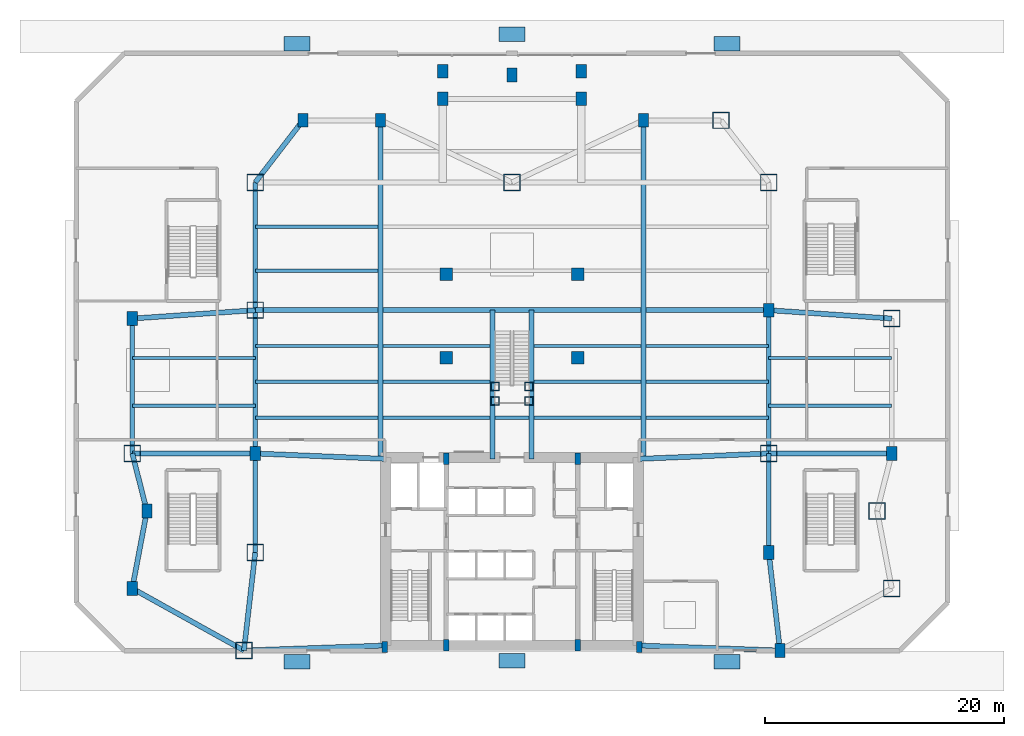
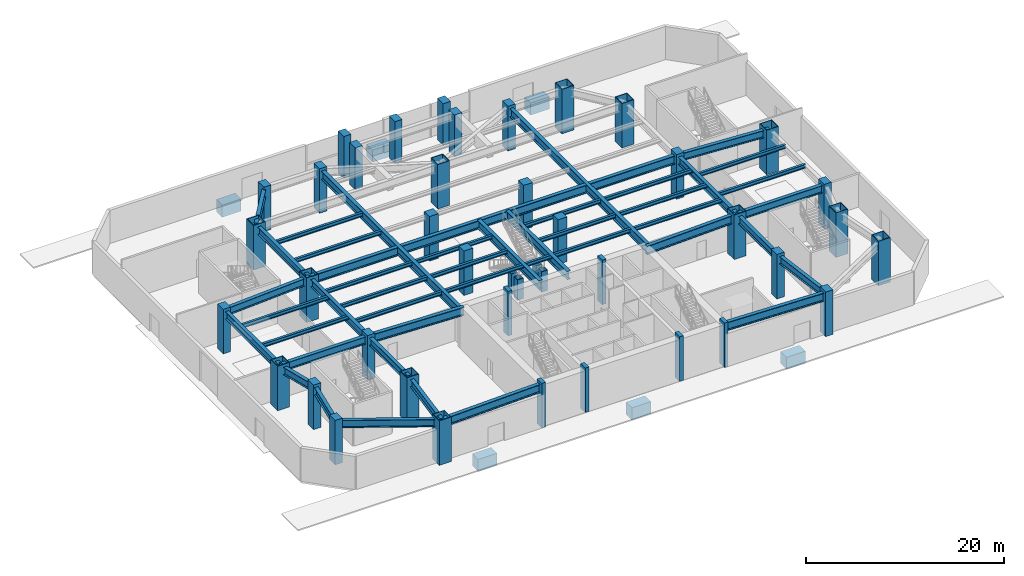
# One storey, part 1 of 11: 44 beams, 42 columns, 6 footings.
"""IFC4 building model written with IfcOpenShell, lengths in metres."""

from ifc_helpers import new_model, si_unit, direction, frame, origin, origin_2d, place, context, subcontext, project, spatial, rectangle, hollow_rectangle, i_section, extrude, source, transform, mapped, material, layer, layer_set, material_profile, profile_set, type_object, type_shapes, element, save


model = new_model("IFC4")

# Units and contexts
model_context = context("Model", 3, precision=1e-05, world=origin(), true_north=direction((0.0, 1.0)))
body_context = subcontext(model_context, "Body", "Model", "MODEL_VIEW")
ifc_project = project(units=[si_unit("LENGTHUNIT", "METRE"), si_unit("AREAUNIT", "SQUARE_METRE"), si_unit("VOLUMEUNIT", "CUBIC_METRE"), si_unit("PLANEANGLEUNIT", "RADIAN"), si_unit("MASSUNIT", "GRAM", prefix="KILO")], contexts=[model_context])

# Site, building, storey
site_placement = place(None, origin())
site = spatial("IfcSite", under=ifc_project, at=site_placement, CompositionType="ELEMENT")
building_placement = place(site_placement, origin())
building = spatial("IfcBuilding", under=site, at=building_placement, Name="Varnakhor Terracotta Tower", CompositionType="ELEMENT")
storey_placement = place(building_placement, origin())
storey = spatial("IfcBuildingStorey", under=building, at=storey_placement, Name="L00", CompositionType="ELEMENT", Elevation=0.0)

# Footings
ifc_material_1 = material(Name="Concrete C40/50", Category="concrete")
ifc_layer = layer(ifc_material_1, 1.5, Name="Concrete C40/50")
ifc_layer_set = layer_set([ifc_layer], Name="Concrete C40/50")
footing_type = type_object("IfcFootingType", Name="FTG-PAD-2800X2800", PredefinedType="PAD_FOOTING", material=ifc_layer_set)
shared_shape_1 = source(origin(), body_context, "Body", "SweptSolid", [
    extrude(rectangle(XDim=2.199951171875, YDim=1.199951171875, at=origin_2d()), origin(), (0.0, 0.0, 1.0), 1.5),
])
for number, where, z_axis, x_axis, name in (
    (1, (-18.0, 50.800048828125, -1.659912109375), (0.0, 0.0, 1.0), (1.0, 0.0, 0.0), "Plaza Apron Grade Pad Footing 1"),
    (2, (0.0, 51.60009765625, -1.659912109375), (0.0, 0.0, 1.0), (1.0, 0.0, 0.0), "Plaza Apron Grade Pad Footing 2"),
    (3, (18.0, 50.800048828125, -1.659912109375), (0.0, 0.0, 1.0), (1.0, 0.0, 0.0), "Plaza Apron Grade Pad Footing 3"),
    (4, (-18.0, -0.949951171875, -1.659912109375), (0.0, 0.0, 1.0), (1.0, 0.0, 0.0), "Plaza Apron Grade Pad Footing 4"),
    (5, (0.0, -0.85009765625, -1.659912109375), (0.0, 0.0, 1.0), (1.0, 0.0, 0.0), "Plaza Apron Grade Pad Footing 5"),
    (6, (18.0, -0.949951171875, -1.659912109375), (0.0, 0.0, 1.0), (1.0, 0.0, 0.0), "Plaza Apron Grade Pad Footing 6"),
):
    element("IfcFooting", number, at=place(storey_placement, frame(where, z_axis=z_axis, x_axis=x_axis)), inside=storey, type_object=footing_type, Name=name, PredefinedType="PAD_FOOTING", context=body_context, shape_type="MappedRepresentation", body=[
        mapped(shared_shape_1, transform((0.0, 0.0, 0.0), scale=1.0)),
    ])

# Columns
ifc_material_2 = material(Name="Concrete C50/60", Category="concrete")
ifc_material_profile_1 = material_profile(ifc_material_2, rectangle(XDim=0.449951171875, YDim=0.949951171875, at=origin_2d()), Name="RC PILASTER 950x450")
ifc_profile_set_1 = profile_set([ifc_material_profile_1], Name="Concrete C50/60")
column_type_1 = type_object("IfcColumnType", Name="COL-PIL-950x450", PredefinedType="PILASTER", material=ifc_profile_set_1)
shared_shape_2 = source(origin(), body_context, "Body", "SweptSolid", [
    extrude(rectangle(XDim=0.449951171875, YDim=0.949951171875, at=origin_2d()), origin(), (0.0, 0.0, 1.0), 5.5),
])
for number, where, z_axis, x_axis, name in (
    (7, (-10.64990234375, 0.300048828125, 0.0), (0.0, 0.0, 1.0), (1.0, 0.0, 0.0), "L00 Core Pilaster CP1"),
    (8, (-5.5, 0.449951171875, 0.0), (0.0, 0.0, 1.0), (1.0, 0.0, 0.0), "L00 Core Pilaster CP2"),
    (9, (5.5, 0.449951171875, 0.0), (0.0, 0.0, 1.0), (1.0, 0.0, 0.0), "L00 Core Pilaster CP3"),
    (10, (10.64990234375, 0.300048828125, 0.0), (0.0, 0.0, 1.0), (1.0, 0.0, 0.0), "L00 Core Pilaster CP4"),
    (11, (-5.5, 16.050048828125, 0.0), (0.0, 0.0, 1.0), (1.0, 0.0, 0.0), "L00 Core Pilaster CP5"),
    (12, (5.5, 16.050048828125, 0.0), (0.0, 0.0, 1.0), (1.0, 0.0, 0.0), "L00 Core Pilaster CP6"),
):
    element("IfcColumn", number, at=place(storey_placement, frame(where, z_axis=z_axis, x_axis=x_axis)), inside=storey, type_object=column_type_1, Name=name, PredefinedType="PILASTER", context=body_context, shape_type="MappedRepresentation", body=[
        mapped(shared_shape_2, transform((0.0, 0.0, 0.0), scale=1.0)),
    ])
ifc_material_3 = material(Name="Concrete C60/75", Category="concrete")
ifc_material_profile_2 = material_profile(ifc_material_3, rectangle(XDim=1.050048828125, YDim=1.050048828125, at=origin_2d()), Name="RC 1050x1050")
ifc_profile_set_2 = profile_set([ifc_material_profile_2], Name="Concrete C60/75")
column_type_2 = type_object("IfcColumnType", Name="COL-RC-1050", PredefinedType="COLUMN", material=ifc_profile_set_2)
shared_shape_3 = source(origin(), body_context, "Body", "SweptSolid", [
    extrude(rectangle(XDim=1.050048828125, YDim=1.050048828125, at=origin_2d()), origin(), (0.0, 0.0, 1.0), 5.5),
])
type_shapes(column_type_2, [shared_shape_3])
for number, where, z_axis, x_axis, name in (
    (13, (-5.5, 24.5, 0.0), (0.0, 0.0, 1.0), (1.0, 0.0, 0.0), "L00 Interior Plumb Tower Column I1"),
    (14, (5.5, 24.5, 0.0), (0.0, 0.0, 1.0), (1.0, 0.0, 0.0), "L00 Interior Plumb Tower Column I2"),
    (15, (-5.5, 31.5, 0.0), (0.0, 0.0, 1.0), (1.0, 0.0, 0.0), "L00 Interior Plumb Tower Column I3"),
    (16, (5.5, 31.5, 0.0), (0.0, 0.0, 1.0), (1.0, 0.0, 0.0), "L00 Interior Plumb Tower Column I4"),
):
    element("IfcColumn", number, at=place(storey_placement, frame(where, z_axis=z_axis, x_axis=x_axis)), inside=storey, type_object=column_type_2, Name=name, PredefinedType="COLUMN", context=body_context, shape_type="MappedRepresentation", body=[
        mapped(shared_shape_3, transform((0.0, 0.0, 0.0), scale=1.0)),
    ])
ifc_material_profile_3 = material_profile(ifc_material_3, rectangle(XDim=0.85009765625, YDim=1.14990234375, at=origin_2d()), Name="RC 1150x850")
ifc_profile_set_3 = profile_set([ifc_material_profile_3], Name="Concrete C60/75")
column_type_3 = type_object("IfcColumnType", Name="COL-RC-1150x850", PredefinedType="COLUMN", material=ifc_profile_set_3)
shared_shape_4 = source(origin(), body_context, "Body", "SweptSolid", [
    extrude(rectangle(XDim=0.85009765625, YDim=1.14990234375, at=origin_2d()), origin(), (0.0, 0.0, 1.0), 5.159912109375),
])
for number, where, z_axis, x_axis, name in (
    (17, (-5.800048828125, 46.199951171875, 0.0), (0.0, 0.0, 1.0), (1.0, 0.0, 0.0), "L00 North Terrace Support Column 1"),
    (18, (5.800048828125, 46.199951171875, 0.0), (0.0, 0.0, 1.0), (1.0, 0.0, 0.0), "L00 North Terrace Support Column 2"),
    (19, (0.0, 48.199951171875, 0.0), (0.0, 0.0, 1.0), (1.0, 0.0, 0.0), "L00 North Terrace Support Column 3"),
    (20, (-5.800048828125, 48.5, 0.0), (0.0, 0.0, 1.0), (1.0, 0.0, 0.0), "L00 North Terrace Support Column 4"),
    (21, (5.800048828125, 48.5, 0.0), (0.0, 0.0, 1.0), (1.0, 0.0, 0.0), "L00 North Terrace Support Column 5"),
):
    element("IfcColumn", number, at=place(storey_placement, frame(where, z_axis=z_axis, x_axis=x_axis)), inside=storey, type_object=column_type_3, Name=name, PredefinedType="COLUMN", context=body_context, shape_type="MappedRepresentation", body=[
        mapped(shared_shape_4, transform((0.0, 0.0, 0.0), scale=1.0)),
    ])
ifc_material_4 = material(Name="Steel S460", Category="steel")
ifc_material_profile_4 = material_profile(ifc_material_4, hollow_rectangle(XDim=1.39990234375, YDim=1.39990234375, WallThickness=0.070068359375, at=origin_2d()), Name="BOX 1400x1400x70")
ifc_profile_set_4 = profile_set([ifc_material_profile_4], Name="Steel S460")
column_type_4 = type_object("IfcColumnType", Name="COL-MEGA-1400", PredefinedType="COLUMN", material=ifc_profile_set_4)
shared_shape_5 = source(origin(), body_context, "Body", "SweptSolid", [
    extrude(hollow_rectangle(XDim=1.39990234375, YDim=1.39990234375, WallThickness=0.070068359375, at=origin_2d()), origin(), (0.0, 0.0, 1.0), 5.5),
])
for number, where, z_axis, x_axis, name in (
    (22, (-22.446044921875, 0.0, 0.0), (0.0, 0.0, 1.0), (1.0, 0.0, 0.0), "L00 Podium Column PC01"),
    (23, (-21.5, 8.199951171875, 0.0), (0.0, 0.0, 1.0), (1.0, 0.0, 0.0), "L00 Podium Column PC03"),
    (24, (-31.800048828125, 16.5, 0.0), (0.0, 0.0, 1.0), (1.0, 0.0, 0.0), "L00 Podium Column PC05"),
    (25, (-21.5, 28.5, 0.0), (0.0, 0.0, 1.0), (1.0, 0.0, 0.0), "L00 Podium Column PC07"),
    (26, (-21.5, 39.199951171875, 0.0), (0.0, 0.0, 1.0), (1.0, 0.0, 0.0), "L00 Podium Column PC09"),
    (27, (0.0, 39.199951171875, 0.0), (0.0, 0.0, 1.0), (1.0, 0.0, 0.0), "L00 Podium Column PC11"),
    (28, (21.5, 39.199951171875, 0.0), (0.0, 0.0, 1.0), (1.0, 0.0, 0.0), "L00 Podium Column PC13"),
    (29, (21.5, 16.5, 0.0), (0.0, 0.0, 1.0), (1.0, 0.0, 0.0), "L00 Podium Column PC15"),
    (30, (31.800048828125, 5.199951171875, 0.0), (0.0, 0.0, 1.0), (1.0, 0.0, 0.0), "L00 Podium Column PC17"),
    (31, (31.800048828125, 27.800048828125, 0.0), (0.0, 0.0, 1.0), (1.0, 0.0, 0.0), "L00 Podium Column PC19"),
    (32, (17.5, 44.39990234375, 0.0), (0.0, 0.0, 1.0), (1.0, 0.0, 0.0), "L00 Podium Column PC21"),
    (33, (30.572998046875, 11.68701171875, 0.0), (0.0, 0.0, 1.0), (1.0, 0.0, 0.0), "L00 Podium Column PC23"),
):
    element("IfcColumn", number, at=place(storey_placement, frame(where, z_axis=z_axis, x_axis=x_axis)), inside=storey, type_object=column_type_4, Name=name, PredefinedType="COLUMN", context=body_context, shape_type="MappedRepresentation", body=[
        mapped(shared_shape_5, transform((0.0, 0.0, 0.0), scale=1.0)),
    ])
shared_shape_6 = source(origin(), body_context, "Body", "SweptSolid", [
    extrude(rectangle(XDim=0.85009765625, YDim=1.14990234375, at=origin_2d()), origin(), (0.0, 0.0, 1.0), 5.5),
])
for number, where, z_axis, x_axis, name in (
    (34, (22.446044921875, 0.0, 0.0), (0.0, 0.0, 1.0), (1.0, 0.0, 0.0), "L00 Podium Column PC02"),
    (35, (21.5, 8.199951171875, 0.0), (0.0, 0.0, 1.0), (1.0, 0.0, 0.0), "L00 Podium Column PC04"),
    (36, (31.800048828125, 16.5, 0.0), (0.0, 0.0, 1.0), (1.0, 0.0, 0.0), "L00 Podium Column PC06"),
    (37, (21.5, 28.5, 0.0), (0.0, 0.0, 1.0), (1.0, 0.0, 0.0), "L00 Podium Column PC08"),
    (38, (-11.0, 44.39990234375, 0.0), (0.0, 0.0, 1.0), (1.0, 0.0, 0.0), "L00 Podium Column PC10"),
    (39, (11.0, 44.39990234375, 0.0), (0.0, 0.0, 1.0), (1.0, 0.0, 0.0), "L00 Podium Column PC12"),
    (40, (-21.5, 16.5, 0.0), (0.0, 0.0, 1.0), (1.0, 0.0, 0.0), "L00 Podium Column PC14"),
    (41, (-31.800048828125, 5.199951171875, 0.0), (0.0, 0.0, 1.0), (1.0, 0.0, 0.0), "L00 Podium Column PC16"),
    (42, (-31.800048828125, 27.800048828125, 0.0), (0.0, 0.0, 1.0), (1.0, 0.0, 0.0), "L00 Podium Column PC18"),
    (43, (-17.5, 44.39990234375, 0.0), (0.0, 0.0, 1.0), (1.0, 0.0, 0.0), "L00 Podium Column PC20"),
    (44, (-30.572998046875, 11.68701171875, 0.0), (0.0, 0.0, 1.0), (1.0, 0.0, 0.0), "L00 Podium Column PC22"),
):
    element("IfcColumn", number, at=place(storey_placement, frame(where, z_axis=z_axis, x_axis=x_axis)), inside=storey, type_object=column_type_3, Name=name, PredefinedType="COLUMN", context=body_context, shape_type="MappedRepresentation", body=[
        mapped(shared_shape_6, transform((0.0, 0.0, 0.0), scale=1.0)),
    ])
ifc_material_5 = material(Name="Steel S355", Category="steel")
ifc_material_profile_5 = material_profile(ifc_material_5, hollow_rectangle(XDim=0.699951171875, YDim=0.699951171875, WallThickness=0.035888671875, at=origin_2d()), Name="BOX 700x700x36")
ifc_profile_set_5 = profile_set([ifc_material_profile_5], Name="Steel S355")
column_type_5 = type_object("IfcColumnType", Name="COL-MEGA-700", PredefinedType="COLUMN", material=ifc_profile_set_5)
shared_shape_7 = source(origin(), body_context, "Body", "SweptSolid", [
    extrude(hollow_rectangle(XDim=0.699951171875, YDim=0.699951171875, WallThickness=0.035888671875, at=origin_2d()), origin(), (0.0, 0.0, 1.0), 2.510009765625),
])
for number, where, z_axis, x_axis, name in (
    (45, (-1.419921875, 20.89990234375, 0.0), (0.0, 0.0, 1.0), (1.0, 0.0, 0.0), "Feature Stair Landing Post 1"),
    (46, (1.419921875, 20.89990234375, 0.0), (0.0, 0.0, 1.0), (1.0, 0.0, 0.0), "Feature Stair Landing Post 2"),
    (47, (-1.419921875, 22.10009765625, 0.0), (0.0, 0.0, 1.0), (1.0, 0.0, 0.0), "Feature Stair Landing Post 3"),
    (48, (1.419921875, 22.10009765625, 0.0), (0.0, 0.0, 1.0), (1.0, 0.0, 0.0), "Feature Stair Landing Post 4"),
):
    element("IfcColumn", number, at=place(storey_placement, frame(where, z_axis=z_axis, x_axis=x_axis)), inside=storey, type_object=column_type_5, Name=name, PredefinedType="COLUMN", context=body_context, shape_type="MappedRepresentation", body=[
        mapped(shared_shape_7, transform((0.0, 0.0, 0.0), scale=1.0)),
    ])

# Beams
ifc_material_profile_6 = material_profile(ifc_material_5, i_section(OverallWidth=0.41796875, OverallDepth=0.927001953125, WebThickness=0.01904296875, FlangeThickness=0.031982421875, FilletRadius=0.01806640625, at=origin_2d()), Name="W36X231")
ifc_profile_set_6 = profile_set([ifc_material_profile_6], Name="Steel S355")
beam_type_1 = type_object("IfcBeamType", Name="BM-W36X231", PredefinedType="BEAM", material=ifc_profile_set_6)
shared_shape_8 = source(origin(), body_context, "Body", "SweptSolid", [
    extrude(i_section(OverallWidth=0.41796875, OverallDepth=0.927001953125, WebThickness=0.01904296875, FlangeThickness=0.031982421875, FilletRadius=0.01806640625, at=origin_2d()), origin(), (0.0, 0.0, 1.0), 8.25439453125),
])
type_shapes(beam_type_1, [shared_shape_8])
for number, where, z_axis, x_axis, name in (
    (49, (-22.446044921875, 0.0, 4.6865234375), (0.114611758944, 0.993410360683, 0.0), (-0.993410360683, 0.114611758944, 0.0), "L00 Podium Ring Girder 1"),
    (50, (21.5, 8.199951171875, 4.6865234375), (0.114611758944, -0.993410360683, 0.0), (0.993410360683, 0.114611758944, 0.0), "L00 Podium Ring Girder 14"),
):
    element("IfcBeam", number, at=place(storey_placement, frame(where, z_axis=z_axis, x_axis=x_axis)), inside=storey, type_object=beam_type_1, Name=name, PredefinedType="BEAM", context=body_context, shape_type="MappedRepresentation", body=[
        mapped(shared_shape_8, transform((0.0, 0.0, 0.0), scale=1.0)),
    ])
shared_shape_9 = source(origin(), body_context, "Body", "SweptSolid", [
    extrude(i_section(OverallWidth=0.41796875, OverallDepth=0.927001953125, WebThickness=0.01904296875, FlangeThickness=0.031982421875, FilletRadius=0.01806640625, at=origin_2d()), origin(), (0.0, 0.0, 1.0), 8.300048828125),
])
for number, where, z_axis, x_axis, name in (
    (51, (-21.5, 8.199951171875, 4.6865234375), (0.0, 1.0, 0.0), (-1.0, 0.0, 0.0), "L00 Podium Ring Girder 2"),
    (52, (21.5, 16.5, 4.6865234375), (0.0, -1.0, 0.0), (1.0, 0.0, 0.0), "L00 Podium Ring Girder 13"),
):
    element("IfcBeam", number, at=place(storey_placement, frame(where, z_axis=z_axis, x_axis=x_axis)), inside=storey, type_object=beam_type_1, Name=name, PredefinedType="BEAM", context=body_context, shape_type="MappedRepresentation", body=[
        mapped(shared_shape_9, transform((0.0, 0.0, 0.0), scale=1.0)),
    ])
shared_shape_10 = source(origin(), body_context, "Body", "SweptSolid", [
    extrude(i_section(OverallWidth=0.41796875, OverallDepth=0.927001953125, WebThickness=0.01904296875, FlangeThickness=0.031982421875, FilletRadius=0.01806640625, at=origin_2d()), origin(), (0.0, 0.0, 1.0), 12.0),
])
for number, where, z_axis, x_axis, name in (
    (53, (-21.5, 16.5, 4.6865234375), (0.0, 1.0, 0.0), (-1.0, 0.0, 0.0), "L00 Podium Ring Girder 3"),
    (54, (21.5, 28.5, 4.6865234375), (0.0, -1.0, 0.0), (1.0, 0.0, 0.0), "L00 Podium Ring Girder 12"),
):
    element("IfcBeam", number, at=place(storey_placement, frame(where, z_axis=z_axis, x_axis=x_axis)), inside=storey, type_object=beam_type_1, Name=name, PredefinedType="BEAM", context=body_context, shape_type="MappedRepresentation", body=[
        mapped(shared_shape_10, transform((0.0, 0.0, 0.0), scale=1.0)),
    ])
shared_shape_11 = source(origin(), body_context, "Body", "SweptSolid", [
    extrude(i_section(OverallWidth=0.41796875, OverallDepth=0.927001953125, WebThickness=0.01904296875, FlangeThickness=0.031982421875, FilletRadius=0.01806640625, at=origin_2d()), origin(), (0.0, 0.0, 1.0), 10.699951171875),
])
beam_1_placement = place(storey_placement, frame((-21.5, 28.5, 4.6865234375), z_axis=(0.0, 1.0, 0.0), x_axis=(-1.0, 0.0, 0.0)))
element("IfcBeam", 55, at=beam_1_placement, inside=storey, type_object=beam_type_1, Name="L00 Podium Ring Girder 4", PredefinedType="BEAM", context=body_context, shape_type="MappedRepresentation", body=[
    mapped(shared_shape_11, transform((0.0, 0.0, 0.0), scale=1.0)),
])
shared_shape_12 = source(origin(), body_context, "Body", "SweptSolid", [
    extrude(i_section(OverallWidth=0.41796875, OverallDepth=0.927001953125, WebThickness=0.01904296875, FlangeThickness=0.031982421875, FilletRadius=0.01806640625, at=origin_2d()), origin(), (0.0, 0.0, 1.0), 6.560546875),
])
beam_2_placement = place(storey_placement, frame((-21.5, 39.199951171875, 4.6865234375), z_axis=(0.609714357737, 0.792621222255, 0.0), x_axis=(-0.792621222255, 0.609714357737, 0.0)))
element("IfcBeam", 56, at=beam_2_placement, inside=storey, type_object=beam_type_1, Name="L00 Podium Ring Girder 5", PredefinedType="BEAM", context=body_context, shape_type="MappedRepresentation", body=[
    mapped(shared_shape_12, transform((0.0, 0.0, 0.0), scale=1.0)),
])
shared_shape_13 = source(origin(), body_context, "Body", "SweptSolid", [
    extrude(i_section(OverallWidth=0.41796875, OverallDepth=0.927001953125, WebThickness=0.01904296875, FlangeThickness=0.031982421875, FilletRadius=0.01806640625, at=origin_2d()), origin(), (0.0, 0.0, 1.0), 10.7021484375),
])
beam_3_placement = place(storey_placement, frame((-22.446044921875, 0.0, 4.6865234375), z_axis=(-0.874027042936, 0.485877276909, 0.0), x_axis=(-0.485877276909, -0.874027042936, 0.0)))
element("IfcBeam", 57, at=beam_3_placement, inside=storey, type_object=beam_type_1, Name="L00 Podium Wing Girder OW1", PredefinedType="BEAM", context=body_context, shape_type="MappedRepresentation", body=[
    mapped(shared_shape_13, transform((0.0, 0.0, 0.0), scale=1.0)),
])
shared_shape_14 = source(origin(), body_context, "Body", "SweptSolid", [
    extrude(i_section(OverallWidth=0.41796875, OverallDepth=0.927001953125, WebThickness=0.01904296875, FlangeThickness=0.031982421875, FilletRadius=0.01806640625, at=origin_2d()), origin(), (0.0, 0.0, 1.0), 6.60205078125),
])
beam_4_placement = place(storey_placement, frame((-31.800048828125, 5.199951171875, 4.6865234375), z_axis=(0.185857896361, 0.982576634345, 0.0), x_axis=(-0.982576634345, 0.185857896361, 0.0)))
element("IfcBeam", 58, at=beam_4_placement, inside=storey, type_object=beam_type_1, Name="L00 Podium Wing Girder OW2A", PredefinedType="BEAM", context=body_context, shape_type="MappedRepresentation", body=[
    mapped(shared_shape_14, transform((0.0, 0.0, 0.0), scale=1.0)),
])
shared_shape_15 = source(origin(), body_context, "Body", "SweptSolid", [
    extrude(i_section(OverallWidth=0.41796875, OverallDepth=0.927001953125, WebThickness=0.01904296875, FlangeThickness=0.031982421875, FilletRadius=0.01806640625, at=origin_2d()), origin(), (0.0, 0.0, 1.0), 4.967041015625),
])
beam_5_placement = place(storey_placement, frame((-30.572998046875, 11.68701171875, 4.6865234375), z_axis=(-0.247043524216, 0.969004384481, 0.0), x_axis=(-0.969004384481, -0.247043524216, 0.0)))
element("IfcBeam", 59, at=beam_5_placement, inside=storey, type_object=beam_type_1, Name="L00 Podium Wing Girder OW2B", PredefinedType="BEAM", context=body_context, shape_type="MappedRepresentation", body=[
    mapped(shared_shape_15, transform((0.0, 0.0, 0.0), scale=1.0)),
])
shared_shape_16 = source(origin(), body_context, "Body", "SweptSolid", [
    extrude(i_section(OverallWidth=0.41796875, OverallDepth=0.927001953125, WebThickness=0.01904296875, FlangeThickness=0.031982421875, FilletRadius=0.01806640625, at=origin_2d()), origin(), (0.0, 0.0, 1.0), 11.300048828125),
])
beam_6_placement = place(storey_placement, frame((-31.800048828125, 16.5, 4.6865234375), z_axis=(0.0, 1.0, 0.0), x_axis=(-1.0, 0.0, 0.0)))
element("IfcBeam", 60, at=beam_6_placement, inside=storey, type_object=beam_type_1, Name="L00 Podium Wing Girder OW3", PredefinedType="BEAM", context=body_context, shape_type="MappedRepresentation", body=[
    mapped(shared_shape_16, transform((0.0, 0.0, 0.0), scale=1.0)),
])
shared_shape_17 = source(origin(), body_context, "Body", "SweptSolid", [
    extrude(i_section(OverallWidth=0.41796875, OverallDepth=0.927001953125, WebThickness=0.01904296875, FlangeThickness=0.031982421875, FilletRadius=0.01806640625, at=origin_2d()), origin(), (0.0, 0.0, 1.0), 10.300048828125),
])
for number, where, z_axis, x_axis, name in (
    (61, (-21.5, 16.5, 4.6865234375), (-1.0, 0.0, 0.0), (0.0, -1.0, 0.0), "L00 Podium Wing Girder OW4"),
    (62, (21.5, 16.5, 4.6865234375), (1.0, 0.0, 0.0), (0.0, 1.0, 0.0), "L00 Podium Wing Girder OE4"),
):
    element("IfcBeam", number, at=place(storey_placement, frame(where, z_axis=z_axis, x_axis=x_axis)), inside=storey, type_object=beam_type_1, Name=name, PredefinedType="BEAM", context=body_context, shape_type="MappedRepresentation", body=[
        mapped(shared_shape_17, transform((0.0, 0.0, 0.0), scale=1.0)),
    ])
shared_shape_18 = source(origin(), body_context, "Body", "SweptSolid", [
    extrude(i_section(OverallWidth=0.41796875, OverallDepth=0.927001953125, WebThickness=0.01904296875, FlangeThickness=0.031982421875, FilletRadius=0.01806640625, at=origin_2d()), origin(), (0.0, 0.0, 1.0), 10.32373046875),
])
for number, where, z_axis, x_axis, name in (
    (63, (-21.5, 28.5, 4.6865234375), (-0.997698950759, -0.067799731964, 0.0), (0.067799731964, -0.997698950759, 0.0), "L00 Podium Wing Girder OW5"),
    (64, (21.5, 28.5, 4.6865234375), (0.997698950759, -0.067799731964, 0.0), (0.067799731964, 0.997698950759, 0.0), "L00 Podium Wing Girder OE5"),
):
    element("IfcBeam", number, at=place(storey_placement, frame(where, z_axis=z_axis, x_axis=x_axis)), inside=storey, type_object=beam_type_1, Name=name, PredefinedType="BEAM", context=body_context, shape_type="MappedRepresentation", body=[
        mapped(shared_shape_18, transform((0.0, 0.0, 0.0), scale=1.0)),
    ])
ifc_material_profile_7 = material_profile(ifc_material_4, i_section(OverallWidth=0.419921875, OverallDepth=1.0400390625, WebThickness=0.031005859375, FlangeThickness=0.055908203125, FilletRadius=0.01806640625, at=origin_2d()), Name="W40X397")
ifc_profile_set_7 = profile_set([ifc_material_profile_7], Name="Steel S460")
beam_type_2 = type_object("IfcBeamType", Name="BM-W40X397", PredefinedType="BEAM", material=ifc_profile_set_7)
shared_shape_19 = source(origin(), body_context, "Body", "SweptSolid", [
    extrude(i_section(OverallWidth=0.419921875, OverallDepth=1.0400390625, WebThickness=0.031005859375, FlangeThickness=0.055908203125, FilletRadius=0.01806640625, at=origin_2d()), origin(), (0.0, 0.0, 1.0), 11.8037109375),
])
type_shapes(beam_type_2, [shared_shape_19])
for number, where, z_axis, x_axis, name in (
    (65, (-22.446044921875, 0.0, 4.6298828125), (0.999366984345, 0.035575702404, 0.0), (-0.035575702404, 0.999366984345, 0.0), "L00 Podium Primary Girder GW1"),
    (66, (10.64990234375, 0.419921875, 4.6298828125), (0.999366984345, -0.035575702404, 0.0), (0.035575702404, 0.999366984345, 0.0), "L00 Podium Primary Girder GE1"),
):
    element("IfcBeam", number, at=place(storey_placement, frame(where, z_axis=z_axis, x_axis=x_axis)), inside=storey, type_object=beam_type_2, Name=name, PredefinedType="BEAM", context=body_context, shape_type="MappedRepresentation", body=[
        mapped(shared_shape_19, transform((0.0, 0.0, 0.0), scale=1.0)),
    ])
shared_shape_20 = source(origin(), body_context, "Body", "SweptSolid", [
    extrude(i_section(OverallWidth=0.419921875, OverallDepth=1.0400390625, WebThickness=0.031005859375, FlangeThickness=0.055908203125, FilletRadius=0.01806640625, at=origin_2d()), origin(), (0.0, 0.0, 1.0), 10.859375),
])
for number, where, z_axis, x_axis, name in (
    (67, (-21.5, 16.5, 4.6298828125), (0.99914123612, -0.041434168088, 0.0), (0.041434168088, 0.99914123612, 0.0), "L00 Podium Primary Girder GW2"),
    (68, (10.64990234375, 16.050048828125, 4.6298828125), (0.99914123612, 0.041434168088, 0.0), (-0.041434168088, 0.99914123612, 0.0), "L00 Podium Primary Girder GE2"),
):
    element("IfcBeam", number, at=place(storey_placement, frame(where, z_axis=z_axis, x_axis=x_axis)), inside=storey, type_object=beam_type_2, Name=name, PredefinedType="BEAM", context=body_context, shape_type="MappedRepresentation", body=[
        mapped(shared_shape_20, transform((0.0, 0.0, 0.0), scale=1.0)),
    ])
shared_shape_21 = source(origin(), body_context, "Body", "SweptSolid", [
    extrude(i_section(OverallWidth=0.419921875, OverallDepth=1.0400390625, WebThickness=0.031005859375, FlangeThickness=0.055908203125, FilletRadius=0.01806640625, at=origin_2d()), origin(), (0.0, 0.0, 1.0), 28.349853515625),
])
for number, where, z_axis, x_axis, name in (
    (69, (-11.0, 16.050048828125, 4.6298828125), (0.0, 1.0, 0.0), (-1.0, 0.0, 0.0), "L00 Podium Primary Girder GNS-W"),
    (70, (11.0, 16.050048828125, 4.6298828125), (0.0, 1.0, 0.0), (-1.0, 0.0, 0.0), "L00 Podium Primary Girder GNS-E"),
):
    element("IfcBeam", number, at=place(storey_placement, frame(where, z_axis=z_axis, x_axis=x_axis)), inside=storey, type_object=beam_type_2, Name=name, PredefinedType="BEAM", context=body_context, shape_type="MappedRepresentation", body=[
        mapped(shared_shape_21, transform((0.0, 0.0, 0.0), scale=1.0)),
    ])
ifc_material_profile_8 = material_profile(ifc_material_5, i_section(OverallWidth=0.280029296875, OverallDepth=0.462890625, WebThickness=0.010986328125, FlangeThickness=0.01708984375, FilletRadius=0.01806640625, at=origin_2d()), Name="W18X76")
ifc_profile_set_8 = profile_set([ifc_material_profile_8], Name="Steel S355")
beam_type_3 = type_object("IfcBeamType", Name="JST-W18X76", PredefinedType="JOIST", material=ifc_profile_set_8)
shared_shape_22 = source(origin(), body_context, "Body", "SweptSolid", [
    extrude(i_section(OverallWidth=0.280029296875, OverallDepth=0.462890625, WebThickness=0.010986328125, FlangeThickness=0.01708984375, FilletRadius=0.01806640625, at=origin_2d()), origin(), (0.0, 0.0, 1.0), 10.2939453125),
])
type_shapes(beam_type_3, [shared_shape_22])
for number, where, z_axis, x_axis, name in (
    (71, (-21.5, 19.5, 4.91845703125), (1.0, 0.0, 0.0), (0.0, 1.0, 0.0), "L00 Podium Joist 1W"),
    (72, (11.2060546875, 19.5, 4.91845703125), (1.0, 0.0, 0.0), (0.0, 1.0, 0.0), "L00 Podium Joist 1E"),
    (73, (-21.5, 22.5, 4.91845703125), (1.0, 0.0, 0.0), (0.0, 1.0, 0.0), "L00 Podium Joist 2W"),
    (74, (11.2060546875, 22.5, 4.91845703125), (1.0, 0.0, 0.0), (0.0, 1.0, 0.0), "L00 Podium Joist 2E"),
    (75, (-21.5, 25.5, 4.91845703125), (1.0, 0.0, 0.0), (0.0, 1.0, 0.0), "L00 Podium Joist 3W"),
    (76, (11.2060546875, 25.5, 4.91845703125), (1.0, 0.0, 0.0), (0.0, 1.0, 0.0), "L00 Podium Joist 3E"),
    (77, (-21.5, 31.800048828125, 4.91845703125), (1.0, 0.0, 0.0), (0.0, 1.0, 0.0), "L00 Podium Joist 4W"),
    (78, (-21.5, 35.5, 4.91845703125), (1.0, 0.0, 0.0), (0.0, 1.0, 0.0), "L00 Podium Joist 5W"),
):
    element("IfcBeam", number, at=place(storey_placement, frame(where, z_axis=z_axis, x_axis=x_axis)), inside=storey, type_object=beam_type_3, Name=name, PredefinedType="JOIST", context=body_context, shape_type="MappedRepresentation", body=[
        mapped(shared_shape_22, transform((0.0, 0.0, 0.0), scale=1.0)),
    ])
shared_shape_23 = source(origin(), body_context, "Body", "SweptSolid", [
    extrude(i_section(OverallWidth=0.280029296875, OverallDepth=0.462890625, WebThickness=0.010986328125, FlangeThickness=0.01708984375, FilletRadius=0.01806640625, at=origin_2d()), origin(), (0.0, 0.0, 1.0), 21.587890625),
])
beam_7_placement = place(storey_placement, frame((-10.7939453125, 19.5, 4.91845703125), z_axis=(1.0, 0.0, 0.0), x_axis=(0.0, 1.0, 0.0)))
element("IfcBeam", 79, at=beam_7_placement, inside=storey, type_object=beam_type_3, Name="L00 Podium Joist 1C", PredefinedType="JOIST", context=body_context, shape_type="MappedRepresentation", body=[
    mapped(shared_shape_23, transform((0.0, 0.0, 0.0), scale=1.0)),
])
shared_shape_24 = source(origin(), body_context, "Body", "SweptSolid", [
    extrude(i_section(OverallWidth=0.280029296875, OverallDepth=0.462890625, WebThickness=0.010986328125, FlangeThickness=0.01708984375, FilletRadius=0.01806640625, at=origin_2d()), origin(), (0.0, 0.0, 1.0), 10.300048828125),
])
for number, where, z_axis, x_axis, name in (
    (80, (-31.800048828125, 20.5, 4.91845703125), (1.0, 0.0, 0.0), (0.0, 1.0, 0.0), "L00 Wing Joist W3"),
    (81, (21.5, 20.5, 4.91845703125), (1.0, 0.0, 0.0), (0.0, 1.0, 0.0), "L00 Wing Joist E3"),
    (82, (-31.800048828125, 24.5, 4.91845703125), (1.0, 0.0, 0.0), (0.0, 1.0, 0.0), "L00 Wing Joist W4"),
    (83, (21.5, 24.5, 4.91845703125), (1.0, 0.0, 0.0), (0.0, 1.0, 0.0), "L00 Wing Joist E4"),
):
    element("IfcBeam", number, at=place(storey_placement, frame(where, z_axis=z_axis, x_axis=x_axis)), inside=storey, type_object=beam_type_3, Name=name, PredefinedType="JOIST", context=body_context, shape_type="MappedRepresentation", body=[
        mapped(shared_shape_24, transform((0.0, 0.0, 0.0), scale=1.0)),
    ])
shared_shape_25 = source(origin(), body_context, "Body", "SweptSolid", [
    extrude(i_section(OverallWidth=0.419921875, OverallDepth=1.0400390625, WebThickness=0.031005859375, FlangeThickness=0.055908203125, FilletRadius=0.01806640625, at=origin_2d()), origin(), (0.0, 0.0, 1.0), 10.2939453125),
])
for number, where, z_axis, x_axis, name in (
    (84, (-21.5, 28.5, 4.6298828125), (1.0, 0.0, 0.0), (0.0, 1.0, 0.0), "L00 Atrium Girder GN1W"),
    (85, (11.2060546875, 28.5, 4.6298828125), (1.0, 0.0, 0.0), (0.0, 1.0, 0.0), "L00 Atrium Girder GN1E"),
):
    element("IfcBeam", number, at=place(storey_placement, frame(where, z_axis=z_axis, x_axis=x_axis)), inside=storey, type_object=beam_type_2, Name=name, PredefinedType="BEAM", context=body_context, shape_type="MappedRepresentation", body=[
        mapped(shared_shape_25, transform((0.0, 0.0, 0.0), scale=1.0)),
    ])
shared_shape_26 = source(origin(), body_context, "Body", "SweptSolid", [
    extrude(i_section(OverallWidth=0.419921875, OverallDepth=1.0400390625, WebThickness=0.031005859375, FlangeThickness=0.055908203125, FilletRadius=0.01806640625, at=origin_2d()), origin(), (0.0, 0.0, 1.0), 21.587890625),
])
beam_8_placement = place(storey_placement, frame((-10.7939453125, 28.5, 4.6298828125), z_axis=(1.0, 0.0, 0.0), x_axis=(0.0, 1.0, 0.0)))
element("IfcBeam", 86, at=beam_8_placement, inside=storey, type_object=beam_type_2, Name="L00 Atrium Span Girder GN1M", PredefinedType="BEAM", context=body_context, shape_type="MappedRepresentation", body=[
    mapped(shared_shape_26, transform((0.0, 0.0, 0.0), scale=1.0)),
])
shared_shape_27 = source(origin(), body_context, "Body", "SweptSolid", [
    extrude(i_section(OverallWidth=0.419921875, OverallDepth=1.0400390625, WebThickness=0.031005859375, FlangeThickness=0.055908203125, FilletRadius=0.01806640625, at=origin_2d()), origin(), (0.0, 0.0, 1.0), 12.449951171875),
])
for number, where, z_axis, x_axis, name in (
    (87, (-1.64990234375, 16.050048828125, 4.6298828125), (0.0, 1.0, 0.0), (-1.0, 0.0, 0.0), "L00 Feature Stair Trimmer W"),
    (88, (1.64990234375, 16.050048828125, 4.6298828125), (0.0, 1.0, 0.0), (-1.0, 0.0, 0.0), "L00 Feature Stair Trimmer E"),
):
    element("IfcBeam", number, at=place(storey_placement, frame(where, z_axis=z_axis, x_axis=x_axis)), inside=storey, type_object=beam_type_2, Name=name, PredefinedType="BEAM", context=body_context, shape_type="MappedRepresentation", body=[
        mapped(shared_shape_27, transform((0.0, 0.0, 0.0), scale=1.0)),
    ])
shared_shape_28 = source(origin(), body_context, "Body", "SweptSolid", [
    extrude(i_section(OverallWidth=0.280029296875, OverallDepth=0.462890625, WebThickness=0.010986328125, FlangeThickness=0.01708984375, FilletRadius=0.01806640625, at=origin_2d()), origin(), (0.0, 0.0, 1.0), 8.93798828125),
])
for number, where, z_axis, x_axis, name in (
    (89, (-10.7939453125, 22.5, 4.91845703125), (1.0, 0.0, 0.0), (0.0, 1.0, 0.0), "L00 Trim Joist 2CW"),
    (90, (1.85595703125, 22.5, 4.91845703125), (1.0, 0.0, 0.0), (0.0, 1.0, 0.0), "L00 Trim Joist 2CE"),
    (91, (-10.7939453125, 25.5, 4.91845703125), (1.0, 0.0, 0.0), (0.0, 1.0, 0.0), "L00 Trim Joist 3CW"),
    (92, (1.85595703125, 25.5, 4.91845703125), (1.0, 0.0, 0.0), (0.0, 1.0, 0.0), "L00 Trim Joist 3CE"),
):
    element("IfcBeam", number, at=place(storey_placement, frame(where, z_axis=z_axis, x_axis=x_axis)), inside=storey, type_object=beam_type_3, Name=name, PredefinedType="JOIST", context=body_context, shape_type="MappedRepresentation", body=[
        mapped(shared_shape_28, transform((0.0, 0.0, 0.0), scale=1.0)),
    ])

save(model, "model.ifc")
